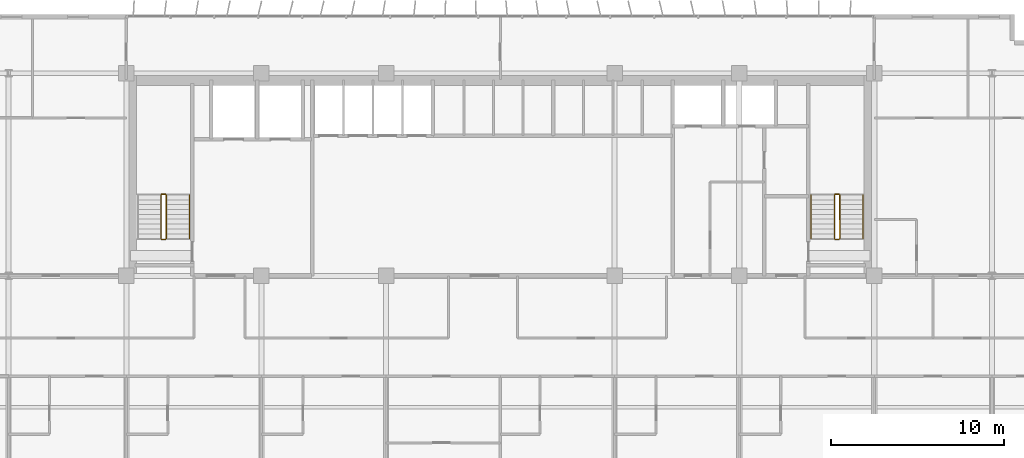
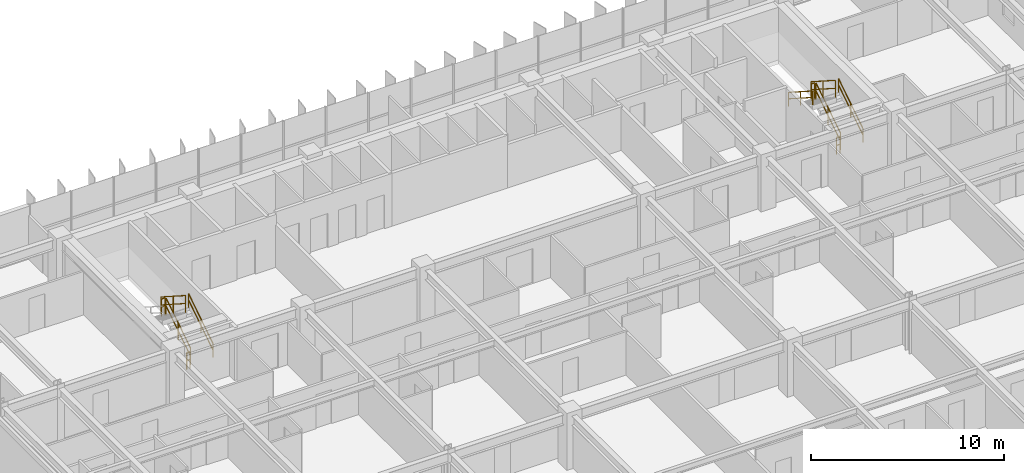
# One storey, part 23 of 24: 11 railings.
"""IFC4 building model written with IfcOpenShell, lengths in metres."""

from ifc_helpers import new_model, si_unit, direction, frame, origin, origin_2d, place, context, subcontext, project, spatial, rectangle, extrude, material, type_object, element, save


model = new_model("IFC4")

# Units and contexts
model_context = context("Model", 3, precision=1e-05, world=origin(), true_north=direction((0.0, 1.0)))
body_context = subcontext(model_context, "Body", "Model", "MODEL_VIEW")
ifc_project = project(units=[si_unit("LENGTHUNIT", "METRE"), si_unit("AREAUNIT", "SQUARE_METRE"), si_unit("VOLUMEUNIT", "CUBIC_METRE"), si_unit("PLANEANGLEUNIT", "RADIAN"), si_unit("MASSUNIT", "GRAM", prefix="KILO")], contexts=[model_context])

# Site, building, storey
site_placement = place(None, origin())
site = spatial("IfcSite", under=ifc_project, at=site_placement, CompositionType="ELEMENT")
building_placement = place(site_placement, origin())
building = spatial("IfcBuilding", under=site, at=building_placement, Name="Trelvane Seafront Commons", CompositionType="ELEMENT")
storey_placement = place(building_placement, frame((0.0, 0.0, 27.10009765625)))
storey = spatial("IfcBuildingStorey", under=building, at=storey_placement, Name="L06", CompositionType="ELEMENT", Elevation=27.10009765625)

# Railings
ifc_material = material(Name="Stainless steel balustrade", Category="steel")
railing_type_1 = type_object("IfcRailingType", Name="ARCH-SRL-GUARD", PredefinedType="GUARDRAIL", material=ifc_material)
railing_1_placement = place(storey_placement, frame((17.89990234375, 35.550048828125, 0.179931640625)))
element("IfcRailing", 1, at=railing_1_placement, inside=storey, type_object=railing_type_1, Name="L06 ST-1 stair guard 1", PredefinedType="GUARDRAIL", context=body_context, shape_type="SweptSolid", body=[
    extrude(rectangle(XDim=0.048095703125, YDim=0.048095703125, at=origin_2d()), frame((0.0, 0.0, 1.076171875), z_axis=(0.0, 0.841199657755, 0.540724639528), x_axis=(-1.0, 0.0, 0.0)), (0.0, 0.0, 1.0), 2.995849609375),
    extrude(rectangle(XDim=0.048095703125, YDim=0.048095703125, at=origin_2d()), frame((0.0, 0.0, 0.572021484375), z_axis=(0.0, 0.841199657755, 0.540724639528), x_axis=(-1.0, 0.0, 0.0)), (0.0, 0.0, 1.0), 2.995849609375),
    extrude(rectangle(XDim=0.0419921875, YDim=0.0419921875, at=origin_2d()), origin(), (0.0, 0.0, 1.0), 1.076171875),
    extrude(rectangle(XDim=0.0419921875, YDim=0.0419921875, at=origin_2d()), frame((0.0, 1.260009765625, 0.81005859375)), (0.0, 0.0, 1.0), 1.076171875),
    extrude(rectangle(XDim=0.0419921875, YDim=0.0419921875, at=origin_2d()), frame((0.0, 2.52001953125, 1.619873046875)), (0.0, 0.0, 1.0), 1.076171875),
])
railing_2_placement = place(storey_placement, frame((17.85009765625, 38.1201171875, 1.7998046875)))
element("IfcRailing", 2, at=railing_2_placement, inside=storey, type_object=railing_type_1, Name="L06 ST-1 stair guard 2", PredefinedType="GUARDRAIL", context=body_context, shape_type="SweptSolid", body=[
    extrude(rectangle(XDim=0.048095703125, YDim=0.048095703125, at=origin_2d()), frame((0.0, 0.0, 1.076171875), z_axis=(-1.0, 0.0, 0.0), x_axis=(0.0, -1.0, 0.0)), (0.0, 0.0, 1.0), 0.2001953125),
    extrude(rectangle(XDim=0.048095703125, YDim=0.048095703125, at=origin_2d()), frame((0.0, 0.0, 0.572021484375), z_axis=(-1.0, 0.0, 0.0), x_axis=(0.0, -1.0, 0.0)), (0.0, 0.0, 1.0), 0.2001953125),
    extrude(rectangle(XDim=0.0419921875, YDim=0.0419921875, at=origin_2d()), origin(), (0.0, 0.0, 1.0), 1.076171875),
    extrude(rectangle(XDim=0.0419921875, YDim=0.0419921875, at=origin_2d()), frame((-0.2001953125, 0.0, 0.0)), (0.0, 0.0, 1.0), 1.076171875),
])
railing_3_placement = place(storey_placement, frame((17.60009765625, 38.070068359375, 1.97998046875)))
element("IfcRailing", 3, at=railing_3_placement, inside=storey, type_object=railing_type_1, Name="L06 ST-1 stair guard 3", PredefinedType="GUARDRAIL", context=body_context, shape_type="SweptSolid", body=[
    extrude(rectangle(XDim=0.048095703125, YDim=0.048095703125, at=origin_2d()), frame((0.0, 0.0, 1.076171875), z_axis=(0.0, -0.841199657755, 0.540724639528), x_axis=(1.0, 0.0, 0.0)), (0.0, 0.0, 1.0), 2.995849609375),
    extrude(rectangle(XDim=0.048095703125, YDim=0.048095703125, at=origin_2d()), frame((0.0, 0.0, 0.572021484375), z_axis=(0.0, -0.841199657755, 0.540724639528), x_axis=(1.0, 0.0, 0.0)), (0.0, 0.0, 1.0), 2.995849609375),
    extrude(rectangle(XDim=0.0419921875, YDim=0.0419921875, at=origin_2d()), origin(), (0.0, 0.0, 1.0), 1.076171875),
    extrude(rectangle(XDim=0.0419921875, YDim=0.0419921875, at=origin_2d()), frame((0.0, -1.260009765625, 0.81005859375)), (0.0, 0.0, 1.0), 1.076171875),
    extrude(rectangle(XDim=0.0419921875, YDim=0.0419921875, at=origin_2d()), frame((0.0, -2.52001953125, 1.619873046875)), (0.0, 0.0, 1.0), 1.076171875),
])
railing_4_placement = place(storey_placement, frame((17.85009765625, 35.5, 0.0)))
element("IfcRailing", 4, at=railing_4_placement, inside=storey, type_object=railing_type_1, Name="L06 ST-1 stair guard 4", PredefinedType="GUARDRAIL", context=body_context, shape_type="SweptSolid", body=[
    extrude(rectangle(XDim=0.048095703125, YDim=0.048095703125, at=origin_2d()), frame((0.0, 0.0, 1.076171875), z_axis=(-1.0, 0.0, 0.0), x_axis=(0.0, -1.0, 0.0)), (0.0, 0.0, 1.0), 0.2001953125),
    extrude(rectangle(XDim=0.048095703125, YDim=0.048095703125, at=origin_2d()), frame((0.0, 0.0, 0.572021484375), z_axis=(-1.0, 0.0, 0.0), x_axis=(0.0, -1.0, 0.0)), (0.0, 0.0, 1.0), 0.2001953125),
    extrude(rectangle(XDim=0.0419921875, YDim=0.0419921875, at=origin_2d()), origin(), (0.0, 0.0, 1.0), 1.076171875),
    extrude(rectangle(XDim=0.0419921875, YDim=0.0419921875, at=origin_2d()), frame((-0.2001953125, 0.0, 0.0)), (0.0, 0.0, 1.0), 1.076171875),
])
railing_5_placement = place(storey_placement, frame((56.800048828125, 35.550048828125, 0.179931640625)))
element("IfcRailing", 5, at=railing_5_placement, inside=storey, type_object=railing_type_1, Name="L06 ST-2 stair guard 1", PredefinedType="GUARDRAIL", context=body_context, shape_type="SweptSolid", body=[
    extrude(rectangle(XDim=0.048095703125, YDim=0.048095703125, at=origin_2d()), frame((0.0, 0.0, 1.076171875), z_axis=(0.0, 0.841199657755, 0.540724639528), x_axis=(-1.0, 0.0, 0.0)), (0.0, 0.0, 1.0), 2.995849609375),
    extrude(rectangle(XDim=0.048095703125, YDim=0.048095703125, at=origin_2d()), frame((0.0, 0.0, 0.572021484375), z_axis=(0.0, 0.841199657755, 0.540724639528), x_axis=(-1.0, 0.0, 0.0)), (0.0, 0.0, 1.0), 2.995849609375),
    extrude(rectangle(XDim=0.0419921875, YDim=0.0419921875, at=origin_2d()), origin(), (0.0, 0.0, 1.0), 1.076171875),
    extrude(rectangle(XDim=0.0419921875, YDim=0.0419921875, at=origin_2d()), frame((0.0, 1.260009765625, 0.81005859375)), (0.0, 0.0, 1.0), 1.076171875),
    extrude(rectangle(XDim=0.0419921875, YDim=0.0419921875, at=origin_2d()), frame((0.0, 2.52001953125, 1.619873046875)), (0.0, 0.0, 1.0), 1.076171875),
])
railing_6_placement = place(storey_placement, frame((56.75, 38.1201171875, 1.7998046875)))
element("IfcRailing", 6, at=railing_6_placement, inside=storey, type_object=railing_type_1, Name="L06 ST-2 stair guard 2", PredefinedType="GUARDRAIL", context=body_context, shape_type="SweptSolid", body=[
    extrude(rectangle(XDim=0.048095703125, YDim=0.048095703125, at=origin_2d()), frame((0.0, 0.0, 1.076171875), z_axis=(-1.0, 0.0, 0.0), x_axis=(0.0, -1.0, 0.0)), (0.0, 0.0, 1.0), 0.199951171875),
    extrude(rectangle(XDim=0.048095703125, YDim=0.048095703125, at=origin_2d()), frame((0.0, 0.0, 0.572021484375), z_axis=(-1.0, 0.0, 0.0), x_axis=(0.0, -1.0, 0.0)), (0.0, 0.0, 1.0), 0.199951171875),
    extrude(rectangle(XDim=0.0419921875, YDim=0.0419921875, at=origin_2d()), origin(), (0.0, 0.0, 1.0), 1.076171875),
    extrude(rectangle(XDim=0.0419921875, YDim=0.0419921875, at=origin_2d()), frame((-0.199951171875, 0.0, 0.0)), (0.0, 0.0, 1.0), 1.076171875),
])
railing_7_placement = place(storey_placement, frame((56.5, 38.070068359375, 1.97998046875)))
element("IfcRailing", 7, at=railing_7_placement, inside=storey, type_object=railing_type_1, Name="L06 ST-2 stair guard 3", PredefinedType="GUARDRAIL", context=body_context, shape_type="SweptSolid", body=[
    extrude(rectangle(XDim=0.048095703125, YDim=0.048095703125, at=origin_2d()), frame((0.0, 0.0, 1.076171875), z_axis=(0.0, -0.841199657755, 0.540724639528), x_axis=(1.0, 0.0, 0.0)), (0.0, 0.0, 1.0), 2.995849609375),
    extrude(rectangle(XDim=0.048095703125, YDim=0.048095703125, at=origin_2d()), frame((0.0, 0.0, 0.572021484375), z_axis=(0.0, -0.841199657755, 0.540724639528), x_axis=(1.0, 0.0, 0.0)), (0.0, 0.0, 1.0), 2.995849609375),
    extrude(rectangle(XDim=0.0419921875, YDim=0.0419921875, at=origin_2d()), origin(), (0.0, 0.0, 1.0), 1.076171875),
    extrude(rectangle(XDim=0.0419921875, YDim=0.0419921875, at=origin_2d()), frame((0.0, -1.260009765625, 0.81005859375)), (0.0, 0.0, 1.0), 1.076171875),
    extrude(rectangle(XDim=0.0419921875, YDim=0.0419921875, at=origin_2d()), frame((0.0, -2.52001953125, 1.619873046875)), (0.0, 0.0, 1.0), 1.076171875),
])
railing_8_placement = place(storey_placement, frame((56.75, 35.5, 0.0)))
element("IfcRailing", 8, at=railing_8_placement, inside=storey, type_object=railing_type_1, Name="L06 ST-2 stair guard 4", PredefinedType="GUARDRAIL", context=body_context, shape_type="SweptSolid", body=[
    extrude(rectangle(XDim=0.048095703125, YDim=0.048095703125, at=origin_2d()), frame((0.0, 0.0, 1.076171875), z_axis=(-1.0, 0.0, 0.0), x_axis=(0.0, -1.0, 0.0)), (0.0, 0.0, 1.0), 0.199951171875),
    extrude(rectangle(XDim=0.048095703125, YDim=0.048095703125, at=origin_2d()), frame((0.0, 0.0, 0.572021484375), z_axis=(-1.0, 0.0, 0.0), x_axis=(0.0, -1.0, 0.0)), (0.0, 0.0, 1.0), 0.199951171875),
    extrude(rectangle(XDim=0.0419921875, YDim=0.0419921875, at=origin_2d()), origin(), (0.0, 0.0, 1.0), 1.076171875),
    extrude(rectangle(XDim=0.0419921875, YDim=0.0419921875, at=origin_2d()), frame((-0.199951171875, 0.0, 0.0)), (0.0, 0.0, 1.0), 1.076171875),
])
railing_type_2 = type_object("IfcRailingType", Name="ARCH-SRL-HAND", PredefinedType="HANDRAIL", material=ifc_material)
for number, where, name in (
    (9, (19.25, 35.550048828125, 0.179931640625), "L06 ST-1 stair handrail 1"),
    (10, (58.14990234375, 35.550048828125, 0.179931640625), "L06 ST-2 stair handrail 1"),
):
    element("IfcRailing", number, at=place(storey_placement, frame(where)), inside=storey, type_object=railing_type_2, Name=name, PredefinedType="HANDRAIL", context=body_context, shape_type="SweptSolid", body=[
        extrude(rectangle(XDim=0.048095703125, YDim=0.048095703125, at=origin_2d()), frame((0.0, 0.0, 0.8759765625), z_axis=(0.0, 0.841199657755, 0.540724639528), x_axis=(-1.0, 0.0, 0.0)), (0.0, 0.0, 1.0), 2.995849609375),
        extrude(rectangle(XDim=0.048095703125, YDim=0.048095703125, at=origin_2d()), frame((0.0, 0.0, 0.468017578125), z_axis=(0.0, 0.841199657755, 0.540724639528), x_axis=(-1.0, 0.0, 0.0)), (0.0, 0.0, 1.0), 2.995849609375),
        extrude(rectangle(XDim=0.0419921875, YDim=0.0419921875, at=origin_2d()), origin(), (0.0, 0.0, 1.0), 0.8759765625),
        extrude(rectangle(XDim=0.0419921875, YDim=0.0419921875, at=origin_2d()), frame((0.0, 1.260009765625, 0.81005859375)), (0.0, 0.0, 1.0), 0.8759765625),
        extrude(rectangle(XDim=0.0419921875, YDim=0.0419921875, at=origin_2d()), frame((0.0, 2.52001953125, 1.619873046875)), (0.0, 0.0, 1.0), 0.8759765625),
    ])
railing_9_placement = place(storey_placement, frame((55.14990234375, 38.070068359375, 1.97998046875)))
element("IfcRailing", 11, at=railing_9_placement, inside=storey, type_object=railing_type_2, Name="L06 ST-2 stair handrail 2", PredefinedType="HANDRAIL", context=body_context, shape_type="SweptSolid", body=[
    extrude(rectangle(XDim=0.048095703125, YDim=0.048095703125, at=origin_2d()), frame((0.0, 0.0, 0.8759765625), z_axis=(0.0, -0.841199657755, 0.540724639528), x_axis=(1.0, 0.0, 0.0)), (0.0, 0.0, 1.0), 2.995849609375),
    extrude(rectangle(XDim=0.048095703125, YDim=0.048095703125, at=origin_2d()), frame((0.0, 0.0, 0.468017578125), z_axis=(0.0, -0.841199657755, 0.540724639528), x_axis=(1.0, 0.0, 0.0)), (0.0, 0.0, 1.0), 2.995849609375),
    extrude(rectangle(XDim=0.0419921875, YDim=0.0419921875, at=origin_2d()), origin(), (0.0, 0.0, 1.0), 0.8759765625),
    extrude(rectangle(XDim=0.0419921875, YDim=0.0419921875, at=origin_2d()), frame((0.0, -1.260009765625, 0.81005859375)), (0.0, 0.0, 1.0), 0.8759765625),
    extrude(rectangle(XDim=0.0419921875, YDim=0.0419921875, at=origin_2d()), frame((0.0, -2.52001953125, 1.619873046875)), (0.0, 0.0, 1.0), 0.8759765625),
])

save(model, "model.ifc")
